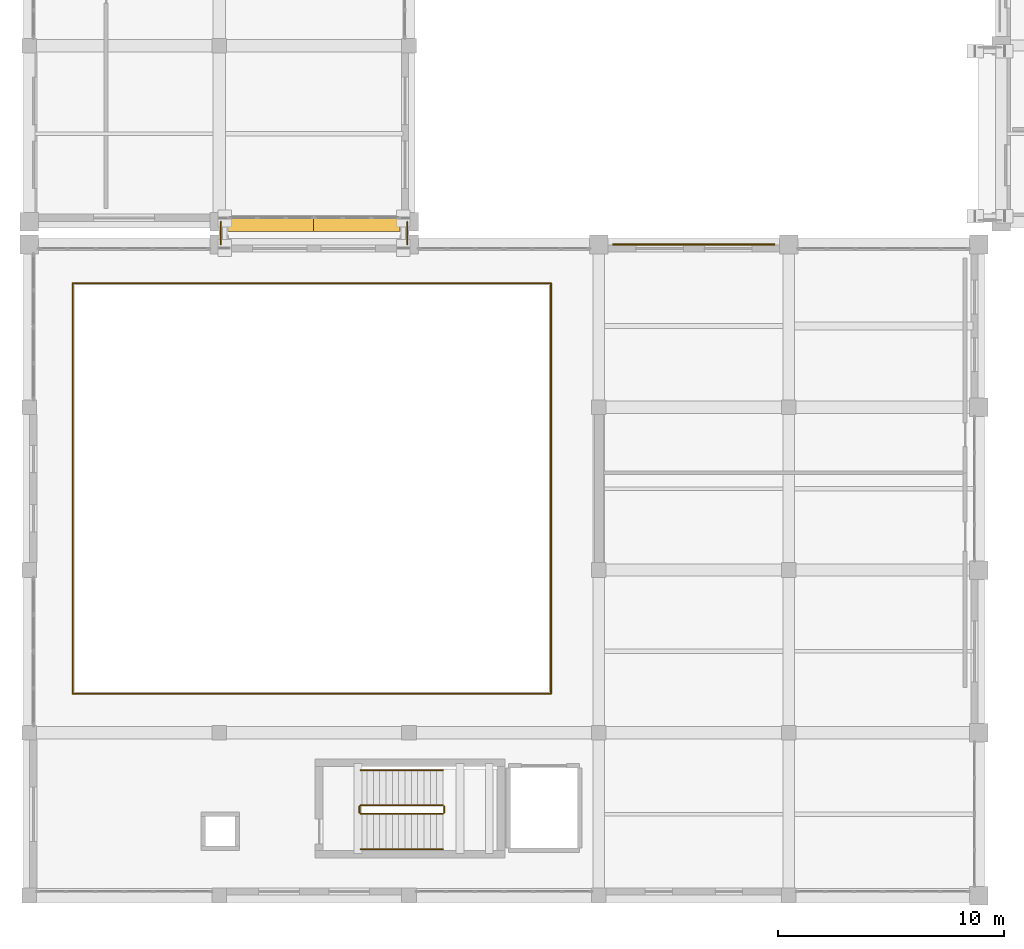
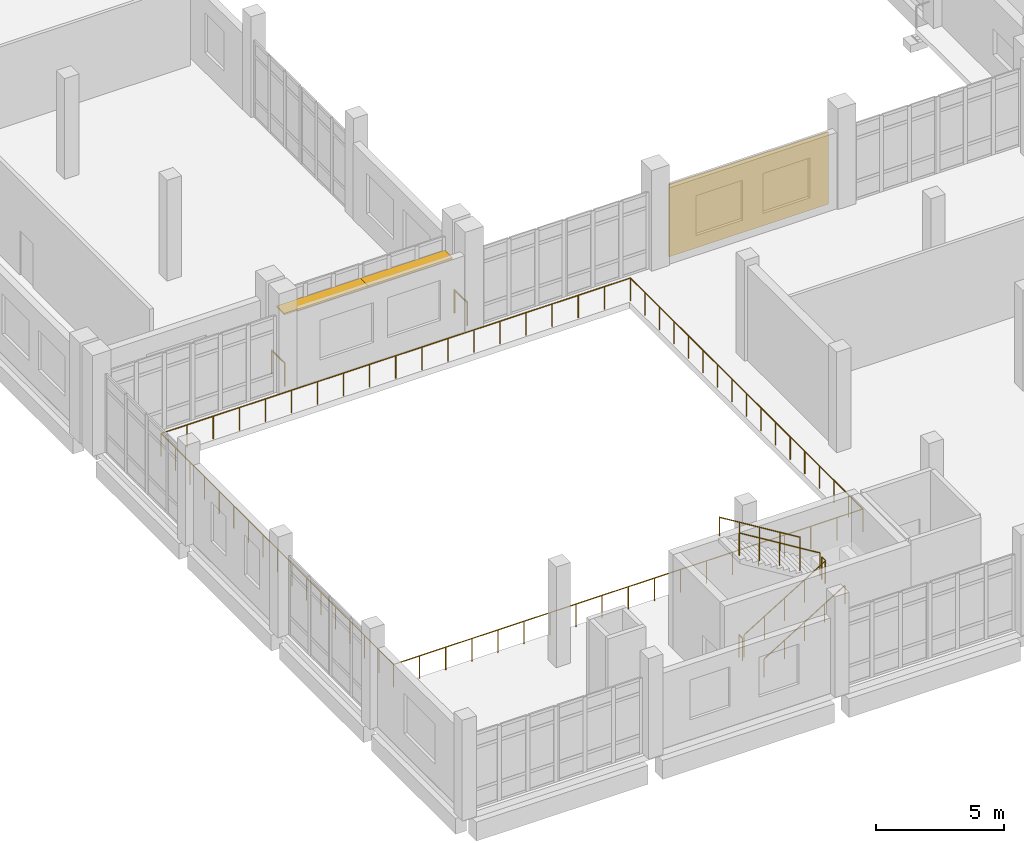
# One storey, part 79 of 90: 12 railings, 2 shading devices, 1 covering.
"""IFC4 building model written with IfcOpenShell, lengths in metres."""

import ifcopenshell
import ifcopenshell.guid

model = None  # the IFC model being written
_history = None  # IfcOwnerHistory: only IFC2X3 demands one
_inside = {}  # id of a spatial element -> (the spatial element, [elements in it])
_under = {}  # id of a project, library or spatial element -> (it, [spatial elements below it])
_declared = {}  # id of a project -> (the project, [libraries it declares])
_typed = {}  # id of a type object -> (the type object, [elements of that type])
_made_of = {}  # id of a material, layer set ... -> (it, [elements and type objects made of it])


def new_model(schema):
    """Start an empty IFC model of exactly this schema.

    Asked for "IFC4X3", IfcOpenShell would pick the latest addendum, in which some entities
    have other attributes; the version numbers below select the first issue.
    IFC2X3 requires an IfcOwnerHistory on every rooted entity: one is made here for all.
    """
    global model, _history
    if schema == "IFC4X3":
        model = ifcopenshell.file(schema_version=(4, 3, 0, 0))
    else:
        model = ifcopenshell.file(schema=schema)
    _inside.clear()
    _under.clear()
    _declared.clear()
    _typed.clear()
    _made_of.clear()
    _history = None
    if model.schema == "IFC2X3":
        org = make("IfcOrganization", Name="unknown")
        user = make(
            "IfcPersonAndOrganization",
            ThePerson=make("IfcPerson", FamilyName="unknown"),
            TheOrganization=org,
        )
        app = make(
            "IfcApplication",
            ApplicationDeveloper=org,
            Version="unknown",
            ApplicationFullName="unknown",
            ApplicationIdentifier="unknown",
        )
        _history = make(
            "IfcOwnerHistory",
            OwningUser=user,
            OwningApplication=app,
            ChangeAction="ADDED",
            CreationDate=0,
        )
    return model


def make(cls, **values):
    """One entity of the class cls with the attributes given. An attribute that is None is left unset."""
    return model.create_entity(
        cls, **{name: value for name, value in values.items() if value is not None}
    )


def rooted(cls, **values):
    """An entity with a GlobalId (a new one), such as an element, a storey or a relation."""
    return make(cls, GlobalId=ifcopenshell.guid.new(), OwnerHistory=_history, **values)


def si_unit(unit_type, name, prefix=None):
    """IfcSIUnit, for example si_unit("LENGTHUNIT", "METRE", prefix="MILLI")."""
    return make("IfcSIUnit", UnitType=unit_type, Prefix=prefix, Name=name)


def assignment(units):
    """IfcUnitAssignment: the units of a project."""
    return None if units is None else make("IfcUnitAssignment", Units=units)


def point(xyz):
    """IfcCartesianPoint."""
    return None if xyz is None else make("IfcCartesianPoint", Coordinates=xyz)


def direction(xyz):
    """IfcDirection."""
    return None if xyz is None else make("IfcDirection", DirectionRatios=xyz)


def frame(location, z_axis=None, x_axis=None):
    """IfcAxis2Placement3D, a coordinate frame: its origin and axes. An axis left out is left unset."""
    return make(
        "IfcAxis2Placement3D",
        Location=point(location),
        Axis=direction(z_axis),
        RefDirection=direction(x_axis),
    )


def frame_2d(location, x_axis=None):
    """IfcAxis2Placement2D, a coordinate frame in the plane: its origin and x axis."""
    return make(
        "IfcAxis2Placement2D", Location=point(location), RefDirection=direction(x_axis)
    )


def origin():
    """The frame at (0, 0, 0) with its axes left unset."""
    return frame((0.0, 0.0, 0.0))


def origin_2d():
    """The frame at (0, 0) in the plane with its x axis left unset."""
    return frame_2d((0.0, 0.0))


def place(relative_to, where):
    """IfcLocalPlacement: puts the frame where relative to a parent placement (None: the world)."""
    return make(
        "IfcLocalPlacement", PlacementRelTo=relative_to, RelativePlacement=where
    )


def context(
    kind, dimensions, precision=None, world=None, true_north=None, identifier=None
):
    """IfcGeometricRepresentationContext, for example the 3D "Model" context."""
    return make(
        "IfcGeometricRepresentationContext",
        ContextIdentifier=identifier,
        ContextType=kind,
        CoordinateSpaceDimension=dimensions,
        Precision=precision,
        WorldCoordinateSystem=world,
        TrueNorth=true_north,
    )


def subcontext(parent, identifier, kind, view, scale=None):
    """IfcGeometricRepresentationSubContext, for example "Body" below "Model"."""
    return make(
        "IfcGeometricRepresentationSubContext",
        ContextIdentifier=identifier,
        ContextType=kind,
        ParentContext=parent,
        TargetScale=scale,
        TargetView=view,
    )


def project(units=None, contexts=None):
    """IfcProject with its units and contexts."""
    return rooted(
        "IfcProject",
        Name="project",
        RepresentationContexts=contexts,
        UnitsInContext=assignment(units),
    )


def spatial(cls, under=None, at=None, **own):
    """A site, building, storey or space (cls), placed at a placement, below another one or the project."""
    s = rooted(cls, ObjectPlacement=at, **own)
    if under is not None:
        _under.setdefault(under.id(), (under, []))[1].append(s)
    return s


def profile(cls, at=None, kind="AREA", **sizes):
    """A parametric profile (cls). Its sizes go by their IFC names, for example OverallWidth=200.0."""
    return make(cls, ProfileType=kind, Position=at, **sizes)


def rectangle(**sizes):
    """IfcRectangleProfileDef."""
    return profile("IfcRectangleProfileDef", **sizes)


def circle(**sizes):
    """IfcCircleProfileDef."""
    return profile("IfcCircleProfileDef", **sizes)


def extrude(swept, where, along, depth):
    """IfcExtrudedAreaSolid: the profile swept, set in the frame where, extruded along a direction by depth."""
    return make(
        "IfcExtrudedAreaSolid",
        SweptArea=swept,
        Position=where,
        ExtrudedDirection=direction(along),
        Depth=depth,
    )


def shape(context_of_items, identifier, shape_type, items):
    """IfcShapeRepresentation: the items that make up one representation, for example the "Body"."""
    return make(
        "IfcShapeRepresentation",
        ContextOfItems=context_of_items,
        RepresentationIdentifier=identifier,
        RepresentationType=shape_type,
        Items=items,
    )


def material(Name=None, Category=None):
    """IfcMaterial."""
    return make("IfcMaterial", Name=Name, Category=Category)


def layer(
    of_material, thickness, ventilated=None, Name=None, Category=None, Priority=None
):
    """IfcMaterialLayer: one layer of a wall or slab, of a material (None: an air gap)."""
    return make(
        "IfcMaterialLayer",
        Material=of_material,
        LayerThickness=thickness,
        IsVentilated=ventilated,
        Name=Name,
        Category=Category,
        Priority=Priority,
    )


def layer_set(layers, Name=None):
    """IfcMaterialLayerSet."""
    return make("IfcMaterialLayerSet", MaterialLayers=layers, LayerSetName=Name)


def made_of(thing, what):
    """Note that an element or type object is made of a material, layer set ...; save() writes the relation."""
    if what is not None:
        _made_of.setdefault(what.id(), (what, []))[1].append(thing)
    return thing


def type_object(cls, material=None, **own):
    """A type object (cls), such as IfcWallType, which elements share."""
    return made_of(rooted(cls, **own), material)


def element(
    cls,
    number,
    at=None,
    inside=None,
    cuts=None,
    type_object=None,
    material=None,
    context=None,
    identifier="Body",
    shape_type=None,
    held_by="IfcProductDefinitionShape",
    body=None,
    shapes=None,
    **own,
):
    """One element of the class cls, such as IfcWall. Its Tag is "e" and its number.

    at: its placement. inside: the storey or other place that contains it. cuts: it is an
    opening in that element (IfcRelVoidsElement). A single representation is given by context,
    identifier, shape_type and body (its items); several are given by shapes. held_by: the class
    of the entity that holds the representations. save() writes the other relations.
    """
    e = rooted(cls, Tag="e%d" % number, ObjectPlacement=at, **own)
    if body is not None:
        shapes = [shape(context, identifier, shape_type, body)]
    if shapes is not None:
        e.Representation = make(held_by, Representations=shapes)
    if inside is not None:
        _inside.setdefault(inside.id(), (inside, []))[1].append(e)
    if cuts is not None:
        rooted(
            "IfcRelVoidsElement", RelatingBuildingElement=cuts, RelatedOpeningElement=e
        )
    if type_object is not None:
        _typed.setdefault(type_object.id(), (type_object, []))[1].append(e)
    return made_of(e, material)


def aggregate(whole, parts):
    """IfcRelAggregates: a whole, such as a stair, and the parts it consists of."""
    return rooted("IfcRelAggregates", RelatingObject=whole, RelatedObjects=parts)


def save(model, path):
    """Write the relations noted so far, then the file.

    IfcRelAggregates (storeys below a building ...), IfcRelContainedInSpatialStructure (elements
    in a storey), IfcRelDefinesByType, IfcRelAssociatesMaterial and IfcRelDeclares: one each for
    every whole, place, type object, material and project.
    """
    for whole, parts in _under.values():
        aggregate(whole, parts)
    for where, things in _inside.values():
        rooted(
            "IfcRelContainedInSpatialStructure",
            RelatedElements=things,
            RelatingStructure=where,
        )
    for kind, things in _typed.values():
        rooted("IfcRelDefinesByType", RelatedObjects=things, RelatingType=kind)
    for what, things in _made_of.values():
        rooted("IfcRelAssociatesMaterial", RelatedObjects=things, RelatingMaterial=what)
    for by, libraries in _declared.values():
        rooted("IfcRelDeclares", RelatingContext=by, RelatedDefinitions=libraries)
    model.write(path)


model = new_model("IFC4")

# Units and contexts
model_context = context("Model", 3, precision=1e-05, world=origin(), true_north=direction((0.0, 1.0)))
body_context = subcontext(model_context, "Body", "Model", "MODEL_VIEW")
ifc_project = project(units=[si_unit("LENGTHUNIT", "METRE"), si_unit("AREAUNIT", "SQUARE_METRE"), si_unit("VOLUMEUNIT", "CUBIC_METRE"), si_unit("PLANEANGLEUNIT", "RADIAN"), si_unit("MASSUNIT", "GRAM", prefix="KILO")], contexts=[model_context])

# Site, building, storey
site_placement = place(None, origin())
site = spatial("IfcSite", under=ifc_project, at=site_placement, CompositionType="ELEMENT")
building_placement = place(site_placement, origin())
building = spatial("IfcBuilding", under=site, at=building_placement, Name="Kelarvand Opera House", CompositionType="ELEMENT")
storey_placement = place(building_placement, frame((0.0, 0.0, 5.39990234375)))
storey = spatial("IfcBuildingStorey", under=building, at=storey_placement, Name="L01", CompositionType="ELEMENT", Elevation=5.39990234375)

# Covering
ifc_material_1 = material(Name="Azarshahr buff travertine stone panels", Category="masonry")
ifc_layer_1 = layer(ifc_material_1, 0.06005859375, Name="Azarshahr buff travertine stone panels", Category="masonry")
ifc_layer_set_1 = layer_set([ifc_layer_1], Name="Azarshahr buff travertine stone panels")
covering_type = type_object("IfcCoveringType", Name="Azarshahr Honed Travertine Rainscreen Cladding 60mm", PredefinedType="CLADDING", material=ifc_layer_set_1)
covering_placement = place(storey_placement, frame((38.39990234375, 37.805908203125, 0.10009765625), z_axis=(0.0, 0.0, 1.0), x_axis=(1.0, 0.0, 0.0)))
element("IfcCovering", 1, at=covering_placement, inside=storey, type_object=covering_type, Name="V4 Travertine Facade Cladding 18", PredefinedType="CLADDING", context=body_context, shape_type="SweptSolid", body=[
    extrude(rectangle(XDim=7.179931640625, YDim=0.06005859375, at=origin_2d()), origin(), (0.0, 0.0, 1.0), 3.44189453125),
])

# Railings
ifc_material_2 = material(Name="Brushed bronze tubular rail")
railing_type_1 = type_object("IfcRailingType", Name="Brushed Bronze Stair Wall Handrail 900", PredefinedType="HANDRAIL", material=ifc_material_2)
railing_1_placement = place(storey_placement, frame((23.659912109375, 11.050048828125, 0.171630859375)))
element("IfcRailing", 2, at=railing_1_placement, inside=storey, type_object=railing_type_1, Name="L01 ST-06 stair handrail 1", PredefinedType="HANDRAIL", context=body_context, shape_type="SweptSolid", body=[
    extrude(circle(Radius=0.02392578125, at=origin_2d()), frame((0.0, 0.0, 0.8759765625), z_axis=(0.852865859571, 0.0, 0.52213008492), x_axis=(0.0, 1.0, 0.0)), (0.0, 0.0, 1.0), 4.26806640625),
    extrude(circle(Radius=0.02099609375, at=origin_2d()), origin(), (0.0, 0.0, 1.0), 0.851806640625),
    extrude(circle(Radius=0.02099609375, at=origin_2d()), frame((0.91015625, 0.0, 0.55712890625)), (0.0, 0.0, 1.0), 0.851806640625),
    extrude(circle(Radius=0.02099609375, at=origin_2d()), frame((1.820068359375, 0.0, 1.1142578125)), (0.0, 0.0, 1.0), 0.851806640625),
    extrude(circle(Radius=0.02099609375, at=origin_2d()), frame((2.72998046875, 0.0, 1.67138671875)), (0.0, 0.0, 1.0), 0.851806640625),
    extrude(circle(Radius=0.02099609375, at=origin_2d()), frame((3.64013671875, 0.0, 2.228515625)), (0.0, 0.0, 1.0), 0.851806640625),
])
railing_2_placement = place(storey_placement, frame((27.300048828125, 14.550048828125, 2.571533203125)))
element("IfcRailing", 3, at=railing_2_placement, inside=storey, type_object=railing_type_1, Name="L01 ST-06 stair handrail 2", PredefinedType="HANDRAIL", context=body_context, shape_type="SweptSolid", body=[
    extrude(circle(Radius=0.02392578125, at=origin_2d()), frame((0.0, 0.0, 0.8759765625), z_axis=(-0.852865859571, 0.0, 0.52213008492), x_axis=(0.0, -1.0, 0.0)), (0.0, 0.0, 1.0), 4.26806640625),
    extrude(circle(Radius=0.02099609375, at=origin_2d()), origin(), (0.0, 0.0, 1.0), 0.851806640625),
    extrude(circle(Radius=0.02099609375, at=origin_2d()), frame((-0.91015625, 0.0, 0.55712890625)), (0.0, 0.0, 1.0), 0.851806640625),
    extrude(circle(Radius=0.02099609375, at=origin_2d()), frame((-1.820068359375, 0.0, 1.1142578125)), (0.0, 0.0, 1.0), 0.851806640625),
    extrude(circle(Radius=0.02099609375, at=origin_2d()), frame((-2.72998046875, 0.0, 1.67138671875)), (0.0, 0.0, 1.0), 0.851806640625),
    extrude(circle(Radius=0.02099609375, at=origin_2d()), frame((-3.64013671875, 0.0, 2.228515625)), (0.0, 0.0, 1.0), 0.851806640625),
])

# Shading devices
ifc_material_3 = material(Name="Anodised bronze acoustic louvre")
ifc_layer_2 = layer(ifc_material_3, 0.070068359375, Name="Anodised bronze acoustic louvre")
ifc_layer_set_2 = layer_set([ifc_layer_2], Name="Anodised bronze acoustic louvre")
shading_device_type = type_object("IfcShadingDeviceType", Name="Horizontal Acoustic and Solar Bronze Louvre 600x70", PredefinedType="USERDEFINED", material=ifc_layer_set_2)
shading_device_1_placement = place(storey_placement, frame((23.491943359375, 38.68505859375, 2.9150390625), z_axis=(0.0, 0.0, 1.0), x_axis=(-1.0, 0.0, 0.0)))
element("IfcShadingDevice", 4, at=shading_device_1_placement, inside=storey, type_object=shading_device_type, Name="V4 Sun Hood Louvre 23", ObjectType="LOUVRE", PredefinedType="USERDEFINED", context=body_context, shape_type="SweptSolid", body=[
    extrude(rectangle(XDim=3.81591796875, YDim=0.60009765625, at=origin_2d()), origin(), (0.0, 0.0, 1.0), 0.070068359375),
])
shading_device_2_placement = place(storey_placement, frame((19.7099609375, 38.68505859375, 2.9150390625), z_axis=(0.0, 0.0, 1.0), x_axis=(-1.0, 0.0, 0.0)))
element("IfcShadingDevice", 5, at=shading_device_2_placement, inside=storey, type_object=shading_device_type, Name="V4 Sun Hood Louvre 24", ObjectType="LOUVRE", PredefinedType="USERDEFINED", context=body_context, shape_type="SweptSolid", body=[
    extrude(rectangle(XDim=3.820068359375, YDim=0.60009765625, at=origin_2d()), origin(), (0.0, 0.0, 1.0), 0.070068359375),
])

# Railings
ifc_material_4 = material(Name="Laminated safety glass with bronze cap rail", Category="glass")
railing_type_2 = type_object("IfcRailingType", Name="Laminated Glass and Bronze Foyer Balustrade 1120", PredefinedType="BALUSTRADE", material=ifc_material_4)
for number, where, name in (
    (6, (17.47998046875, 37.800048828125, 0.0), "V1 L01 Balustrade 163"),
    (7, (25.719970703125, 37.800048828125, 0.0), "V1 L01 Balustrade 164"),
):
    element("IfcRailing", number, at=place(storey_placement, frame(where)), inside=storey, type_object=railing_type_2, Name=name, PredefinedType="BALUSTRADE", context=body_context, shape_type="SweptSolid", body=[
        extrude(circle(Radius=0.02392578125, at=origin_2d()), frame((0.0, 0.0, 1.09619140625), z_axis=(0.0, 1.0, 0.0), x_axis=(-1.0, 0.0, 0.0)), (0.0, 0.0, 1.0), 1.0),
        extrude(circle(Radius=0.02099609375, at=origin_2d()), origin(), (0.0, 0.0, 1.0), 1.072021484375),
        extrude(circle(Radius=0.02099609375, at=origin_2d()), frame((0.0, 1.0, 0.0)), (0.0, 0.0, 1.0), 1.072021484375),
    ])
ifc_material_5 = material(Name="Powder-coated Steel S355", Category="steel")
railing_type_3 = type_object("IfcRailingType", Name="Painted Steel Stair and Void Guardrail 1100", PredefinedType="GUARDRAIL", material=ifc_material_5)
railing_3_placement = place(storey_placement, frame((23.659912109375, 12.610107421875, 0.171630859375)))
element("IfcRailing", 8, at=railing_3_placement, inside=storey, type_object=railing_type_3, Name="L01 ST-06 stair guard 1", PredefinedType="GUARDRAIL", context=body_context, shape_type="SweptSolid", body=[
    extrude(circle(Radius=0.02392578125, at=origin_2d()), frame((0.0, 0.0, 1.076171875), z_axis=(0.852865859571, 0.0, 0.52213008492), x_axis=(0.0, 1.0, 0.0)), (0.0, 0.0, 1.0), 4.26806640625),
    extrude(circle(Radius=0.02099609375, at=origin_2d()), origin(), (0.0, 0.0, 1.0), 1.052001953125),
    extrude(circle(Radius=0.02099609375, at=origin_2d()), frame((0.91015625, 0.0, 0.55712890625)), (0.0, 0.0, 1.0), 1.052001953125),
    extrude(circle(Radius=0.02099609375, at=origin_2d()), frame((1.820068359375, 0.0, 1.1142578125)), (0.0, 0.0, 1.0), 1.052001953125),
    extrude(circle(Radius=0.02099609375, at=origin_2d()), frame((2.72998046875, 0.0, 1.67138671875)), (0.0, 0.0, 1.0), 1.052001953125),
    extrude(circle(Radius=0.02099609375, at=origin_2d()), frame((3.64013671875, 0.0, 2.228515625)), (0.0, 0.0, 1.0), 1.052001953125),
])
railing_4_placement = place(storey_placement, frame((27.35009765625, 12.659912109375, 2.400146484375)))
element("IfcRailing", 9, at=railing_4_placement, inside=storey, type_object=railing_type_3, Name="L01 ST-06 stair guard 2", PredefinedType="GUARDRAIL", context=body_context, shape_type="SweptSolid", body=[
    extrude(circle(Radius=0.02392578125, at=origin_2d()), frame((0.0, 0.0, 1.076171875), z_axis=(0.0, 1.0, 0.0), x_axis=(-1.0, 0.0, 0.0)), (0.0, 0.0, 1.0), 0.280029296875),
    extrude(circle(Radius=0.02099609375, at=origin_2d()), origin(), (0.0, 0.0, 1.0), 1.052001953125),
    extrude(circle(Radius=0.02099609375, at=origin_2d()), frame((0.0, 0.280029296875, 0.0)), (0.0, 0.0, 1.0), 1.052001953125),
])
railing_5_placement = place(storey_placement, frame((27.300048828125, 12.989990234375, 2.571533203125)))
element("IfcRailing", 10, at=railing_5_placement, inside=storey, type_object=railing_type_3, Name="L01 ST-06 stair guard 3", PredefinedType="GUARDRAIL", context=body_context, shape_type="SweptSolid", body=[
    extrude(circle(Radius=0.02392578125, at=origin_2d()), frame((0.0, 0.0, 1.076171875), z_axis=(-0.852865859571, 0.0, 0.52213008492), x_axis=(0.0, -1.0, 0.0)), (0.0, 0.0, 1.0), 4.26806640625),
    extrude(circle(Radius=0.02099609375, at=origin_2d()), origin(), (0.0, 0.0, 1.0), 1.052001953125),
    extrude(circle(Radius=0.02099609375, at=origin_2d()), frame((-0.91015625, 0.0, 0.55712890625)), (0.0, 0.0, 1.0), 1.052001953125),
    extrude(circle(Radius=0.02099609375, at=origin_2d()), frame((-1.820068359375, 0.0, 1.1142578125)), (0.0, 0.0, 1.0), 1.052001953125),
    extrude(circle(Radius=0.02099609375, at=origin_2d()), frame((-2.72998046875, 0.0, 1.67138671875)), (0.0, 0.0, 1.0), 1.052001953125),
    extrude(circle(Radius=0.02099609375, at=origin_2d()), frame((-3.64013671875, 0.0, 2.228515625)), (0.0, 0.0, 1.0), 1.052001953125),
])
railing_6_placement = place(storey_placement, frame((23.610107421875, 12.659912109375, 0.0)))
element("IfcRailing", 11, at=railing_6_placement, inside=storey, type_object=railing_type_3, Name="L01 ST-06 stair guard 4", PredefinedType="GUARDRAIL", context=body_context, shape_type="SweptSolid", body=[
    extrude(circle(Radius=0.02392578125, at=origin_2d()), frame((0.0, 0.0, 1.076171875), z_axis=(0.0, 1.0, 0.0), x_axis=(-1.0, 0.0, 0.0)), (0.0, 0.0, 1.0), 0.280029296875),
    extrude(circle(Radius=0.02099609375, at=origin_2d()), origin(), (0.0, 0.0, 1.0), 1.052001953125),
    extrude(circle(Radius=0.02099609375, at=origin_2d()), frame((0.0, 0.280029296875, 0.0)), (0.0, 0.0, 1.0), 1.052001953125),
])
railing_7_placement = place(storey_placement, frame((10.919921875, 36.080078125, 0.0)))
element("IfcRailing", 12, at=railing_7_placement, inside=storey, type_object=railing_type_3, Name="V4 L01 Guardrail 41", PredefinedType="GUARDRAIL", context=body_context, shape_type="SweptSolid", body=[
    extrude(circle(Radius=0.02392578125, at=origin_2d()), frame((0.0, 0.0, 1.076171875), z_axis=(1.0, 0.0, 0.0), x_axis=(0.0, 1.0, 0.0)), (0.0, 0.0, 1.0), 21.16015625),
    extrude(circle(Radius=0.02099609375, at=origin_2d()), origin(), (0.0, 0.0, 1.0), 1.052001953125),
    extrude(circle(Radius=0.02099609375, at=origin_2d()), frame((1.175537109375, 0.0, 0.0)), (0.0, 0.0, 1.0), 1.052001953125),
    extrude(circle(Radius=0.02099609375, at=origin_2d()), frame((2.35107421875, 0.0, 0.0)), (0.0, 0.0, 1.0), 1.052001953125),
    extrude(circle(Radius=0.02099609375, at=origin_2d()), frame((3.526611328125, 0.0, 0.0)), (0.0, 0.0, 1.0), 1.052001953125),
    extrude(circle(Radius=0.02099609375, at=origin_2d()), frame((4.7021484375, 0.0, 0.0)), (0.0, 0.0, 1.0), 1.052001953125),
    extrude(circle(Radius=0.02099609375, at=origin_2d()), frame((5.8779296875, 0.0, 0.0)), (0.0, 0.0, 1.0), 1.052001953125),
    extrude(circle(Radius=0.02099609375, at=origin_2d()), frame((7.053466796875, 0.0, 0.0)), (0.0, 0.0, 1.0), 1.052001953125),
    extrude(circle(Radius=0.02099609375, at=origin_2d()), frame((8.22900390625, 0.0, 0.0)), (0.0, 0.0, 1.0), 1.052001953125),
    extrude(circle(Radius=0.02099609375, at=origin_2d()), frame((9.404541015625, 0.0, 0.0)), (0.0, 0.0, 1.0), 1.052001953125),
    extrude(circle(Radius=0.02099609375, at=origin_2d()), frame((10.580078125, 0.0, 0.0)), (0.0, 0.0, 1.0), 1.052001953125),
    extrude(circle(Radius=0.02099609375, at=origin_2d()), frame((11.755615234375, 0.0, 0.0)), (0.0, 0.0, 1.0), 1.052001953125),
    extrude(circle(Radius=0.02099609375, at=origin_2d()), frame((12.93115234375, 0.0, 0.0)), (0.0, 0.0, 1.0), 1.052001953125),
    extrude(circle(Radius=0.02099609375, at=origin_2d()), frame((14.106689453125, 0.0, 0.0)), (0.0, 0.0, 1.0), 1.052001953125),
    extrude(circle(Radius=0.02099609375, at=origin_2d()), frame((15.2822265625, 0.0, 0.0)), (0.0, 0.0, 1.0), 1.052001953125),
    extrude(circle(Radius=0.02099609375, at=origin_2d()), frame((16.4580078125, 0.0, 0.0)), (0.0, 0.0, 1.0), 1.052001953125),
    extrude(circle(Radius=0.02099609375, at=origin_2d()), frame((17.633544921875, 0.0, 0.0)), (0.0, 0.0, 1.0), 1.052001953125),
    extrude(circle(Radius=0.02099609375, at=origin_2d()), frame((18.80908203125, 0.0, 0.0)), (0.0, 0.0, 1.0), 1.052001953125),
    extrude(circle(Radius=0.02099609375, at=origin_2d()), frame((19.984619140625, 0.0, 0.0)), (0.0, 0.0, 1.0), 1.052001953125),
    extrude(circle(Radius=0.02099609375, at=origin_2d()), frame((21.16015625, 0.0, 0.0)), (0.0, 0.0, 1.0), 1.052001953125),
])
railing_8_placement = place(storey_placement, frame((32.080078125, 36.080078125, 0.0)))
element("IfcRailing", 13, at=railing_8_placement, inside=storey, type_object=railing_type_3, Name="V4 L01 Guardrail 42", PredefinedType="GUARDRAIL", context=body_context, shape_type="SweptSolid", body=[
    extrude(circle(Radius=0.02392578125, at=origin_2d()), frame((0.0, 0.0, 1.076171875), z_axis=(0.0, -1.0, 0.0), x_axis=(1.0, 0.0, 0.0)), (0.0, 0.0, 1.0), 18.16015625),
    extrude(circle(Radius=0.02099609375, at=origin_2d()), origin(), (0.0, 0.0, 1.0), 1.052001953125),
    extrude(circle(Radius=0.02099609375, at=origin_2d()), frame((0.0, -1.135009765625, 0.0)), (0.0, 0.0, 1.0), 1.052001953125),
    extrude(circle(Radius=0.02099609375, at=origin_2d()), frame((0.0, -2.27001953125, 0.0)), (0.0, 0.0, 1.0), 1.052001953125),
    extrude(circle(Radius=0.02099609375, at=origin_2d()), frame((0.0, -3.405029296875, 0.0)), (0.0, 0.0, 1.0), 1.052001953125),
    extrude(circle(Radius=0.02099609375, at=origin_2d()), frame((0.0, -4.5400390625, 0.0)), (0.0, 0.0, 1.0), 1.052001953125),
    extrude(circle(Radius=0.02099609375, at=origin_2d()), frame((0.0, -5.675048828125, 0.0)), (0.0, 0.0, 1.0), 1.052001953125),
    extrude(circle(Radius=0.02099609375, at=origin_2d()), frame((0.0, -6.81005859375, 0.0)), (0.0, 0.0, 1.0), 1.052001953125),
    extrude(circle(Radius=0.02099609375, at=origin_2d()), frame((0.0, -7.945068359375, 0.0)), (0.0, 0.0, 1.0), 1.052001953125),
    extrude(circle(Radius=0.02099609375, at=origin_2d()), frame((0.0, -9.080078125, 0.0)), (0.0, 0.0, 1.0), 1.052001953125),
    extrude(circle(Radius=0.02099609375, at=origin_2d()), frame((0.0, -10.215087890625, 0.0)), (0.0, 0.0, 1.0), 1.052001953125),
    extrude(circle(Radius=0.02099609375, at=origin_2d()), frame((0.0, -11.35009765625, 0.0)), (0.0, 0.0, 1.0), 1.052001953125),
    extrude(circle(Radius=0.02099609375, at=origin_2d()), frame((0.0, -12.485107421875, 0.0)), (0.0, 0.0, 1.0), 1.052001953125),
    extrude(circle(Radius=0.02099609375, at=origin_2d()), frame((0.0, -13.6201171875, 0.0)), (0.0, 0.0, 1.0), 1.052001953125),
    extrude(circle(Radius=0.02099609375, at=origin_2d()), frame((0.0, -14.755126953125, 0.0)), (0.0, 0.0, 1.0), 1.052001953125),
    extrude(circle(Radius=0.02099609375, at=origin_2d()), frame((0.0, -15.89013671875, 0.0)), (0.0, 0.0, 1.0), 1.052001953125),
    extrude(circle(Radius=0.02099609375, at=origin_2d()), frame((0.0, -17.025146484375, 0.0)), (0.0, 0.0, 1.0), 1.052001953125),
    extrude(circle(Radius=0.02099609375, at=origin_2d()), frame((0.0, -18.16015625, 0.0)), (0.0, 0.0, 1.0), 1.052001953125),
])
railing_9_placement = place(storey_placement, frame((32.080078125, 17.919921875, 0.0)))
element("IfcRailing", 14, at=railing_9_placement, inside=storey, type_object=railing_type_3, Name="V4 L01 Guardrail 43", PredefinedType="GUARDRAIL", context=body_context, shape_type="SweptSolid", body=[
    extrude(circle(Radius=0.02392578125, at=origin_2d()), frame((0.0, 0.0, 1.076171875), z_axis=(-1.0, 0.0, 0.0), x_axis=(0.0, -1.0, 0.0)), (0.0, 0.0, 1.0), 21.16015625),
    extrude(circle(Radius=0.02099609375, at=origin_2d()), origin(), (0.0, 0.0, 1.0), 1.052001953125),
    extrude(circle(Radius=0.02099609375, at=origin_2d()), frame((-1.175537109375, 0.0, 0.0)), (0.0, 0.0, 1.0), 1.052001953125),
    extrude(circle(Radius=0.02099609375, at=origin_2d()), frame((-2.35107421875, 0.0, 0.0)), (0.0, 0.0, 1.0), 1.052001953125),
    extrude(circle(Radius=0.02099609375, at=origin_2d()), frame((-3.526611328125, 0.0, 0.0)), (0.0, 0.0, 1.0), 1.052001953125),
    extrude(circle(Radius=0.02099609375, at=origin_2d()), frame((-4.7021484375, 0.0, 0.0)), (0.0, 0.0, 1.0), 1.052001953125),
    extrude(circle(Radius=0.02099609375, at=origin_2d()), frame((-5.8779296875, 0.0, 0.0)), (0.0, 0.0, 1.0), 1.052001953125),
    extrude(circle(Radius=0.02099609375, at=origin_2d()), frame((-7.053466796875, 0.0, 0.0)), (0.0, 0.0, 1.0), 1.052001953125),
    extrude(circle(Radius=0.02099609375, at=origin_2d()), frame((-8.22900390625, 0.0, 0.0)), (0.0, 0.0, 1.0), 1.052001953125),
    extrude(circle(Radius=0.02099609375, at=origin_2d()), frame((-9.404541015625, 0.0, 0.0)), (0.0, 0.0, 1.0), 1.052001953125),
    extrude(circle(Radius=0.02099609375, at=origin_2d()), frame((-10.580078125, 0.0, 0.0)), (0.0, 0.0, 1.0), 1.052001953125),
    extrude(circle(Radius=0.02099609375, at=origin_2d()), frame((-11.755615234375, 0.0, 0.0)), (0.0, 0.0, 1.0), 1.052001953125),
    extrude(circle(Radius=0.02099609375, at=origin_2d()), frame((-12.93115234375, 0.0, 0.0)), (0.0, 0.0, 1.0), 1.052001953125),
    extrude(circle(Radius=0.02099609375, at=origin_2d()), frame((-14.106689453125, 0.0, 0.0)), (0.0, 0.0, 1.0), 1.052001953125),
    extrude(circle(Radius=0.02099609375, at=origin_2d()), frame((-15.2822265625, 0.0, 0.0)), (0.0, 0.0, 1.0), 1.052001953125),
    extrude(circle(Radius=0.02099609375, at=origin_2d()), frame((-16.4580078125, 0.0, 0.0)), (0.0, 0.0, 1.0), 1.052001953125),
    extrude(circle(Radius=0.02099609375, at=origin_2d()), frame((-17.633544921875, 0.0, 0.0)), (0.0, 0.0, 1.0), 1.052001953125),
    extrude(circle(Radius=0.02099609375, at=origin_2d()), frame((-18.80908203125, 0.0, 0.0)), (0.0, 0.0, 1.0), 1.052001953125),
    extrude(circle(Radius=0.02099609375, at=origin_2d()), frame((-19.984619140625, 0.0, 0.0)), (0.0, 0.0, 1.0), 1.052001953125),
    extrude(circle(Radius=0.02099609375, at=origin_2d()), frame((-21.16015625, 0.0, 0.0)), (0.0, 0.0, 1.0), 1.052001953125),
])
railing_10_placement = place(storey_placement, frame((10.919921875, 17.919921875, 0.0)))
element("IfcRailing", 15, at=railing_10_placement, inside=storey, type_object=railing_type_3, Name="V4 L01 Guardrail 44", PredefinedType="GUARDRAIL", context=body_context, shape_type="SweptSolid", body=[
    extrude(circle(Radius=0.02392578125, at=origin_2d()), frame((0.0, 0.0, 1.076171875), z_axis=(0.0, 1.0, 0.0), x_axis=(-1.0, 0.0, 0.0)), (0.0, 0.0, 1.0), 18.16015625),
    extrude(circle(Radius=0.02099609375, at=origin_2d()), origin(), (0.0, 0.0, 1.0), 1.052001953125),
    extrude(circle(Radius=0.02099609375, at=origin_2d()), frame((0.0, 1.135009765625, 0.0)), (0.0, 0.0, 1.0), 1.052001953125),
    extrude(circle(Radius=0.02099609375, at=origin_2d()), frame((0.0, 2.27001953125, 0.0)), (0.0, 0.0, 1.0), 1.052001953125),
    extrude(circle(Radius=0.02099609375, at=origin_2d()), frame((0.0, 3.405029296875, 0.0)), (0.0, 0.0, 1.0), 1.052001953125),
    extrude(circle(Radius=0.02099609375, at=origin_2d()), frame((0.0, 4.5400390625, 0.0)), (0.0, 0.0, 1.0), 1.052001953125),
    extrude(circle(Radius=0.02099609375, at=origin_2d()), frame((0.0, 5.675048828125, 0.0)), (0.0, 0.0, 1.0), 1.052001953125),
    extrude(circle(Radius=0.02099609375, at=origin_2d()), frame((0.0, 6.81005859375, 0.0)), (0.0, 0.0, 1.0), 1.052001953125),
    extrude(circle(Radius=0.02099609375, at=origin_2d()), frame((0.0, 7.945068359375, 0.0)), (0.0, 0.0, 1.0), 1.052001953125),
    extrude(circle(Radius=0.02099609375, at=origin_2d()), frame((0.0, 9.080078125, 0.0)), (0.0, 0.0, 1.0), 1.052001953125),
    extrude(circle(Radius=0.02099609375, at=origin_2d()), frame((0.0, 10.215087890625, 0.0)), (0.0, 0.0, 1.0), 1.052001953125),
    extrude(circle(Radius=0.02099609375, at=origin_2d()), frame((0.0, 11.35009765625, 0.0)), (0.0, 0.0, 1.0), 1.052001953125),
    extrude(circle(Radius=0.02099609375, at=origin_2d()), frame((0.0, 12.485107421875, 0.0)), (0.0, 0.0, 1.0), 1.052001953125),
    extrude(circle(Radius=0.02099609375, at=origin_2d()), frame((0.0, 13.6201171875, 0.0)), (0.0, 0.0, 1.0), 1.052001953125),
    extrude(circle(Radius=0.02099609375, at=origin_2d()), frame((0.0, 14.755126953125, 0.0)), (0.0, 0.0, 1.0), 1.052001953125),
    extrude(circle(Radius=0.02099609375, at=origin_2d()), frame((0.0, 15.89013671875, 0.0)), (0.0, 0.0, 1.0), 1.052001953125),
    extrude(circle(Radius=0.02099609375, at=origin_2d()), frame((0.0, 17.025146484375, 0.0)), (0.0, 0.0, 1.0), 1.052001953125),
    extrude(circle(Radius=0.02099609375, at=origin_2d()), frame((0.0, 18.16015625, 0.0)), (0.0, 0.0, 1.0), 1.052001953125),
])

save(model, "model.ifc")
